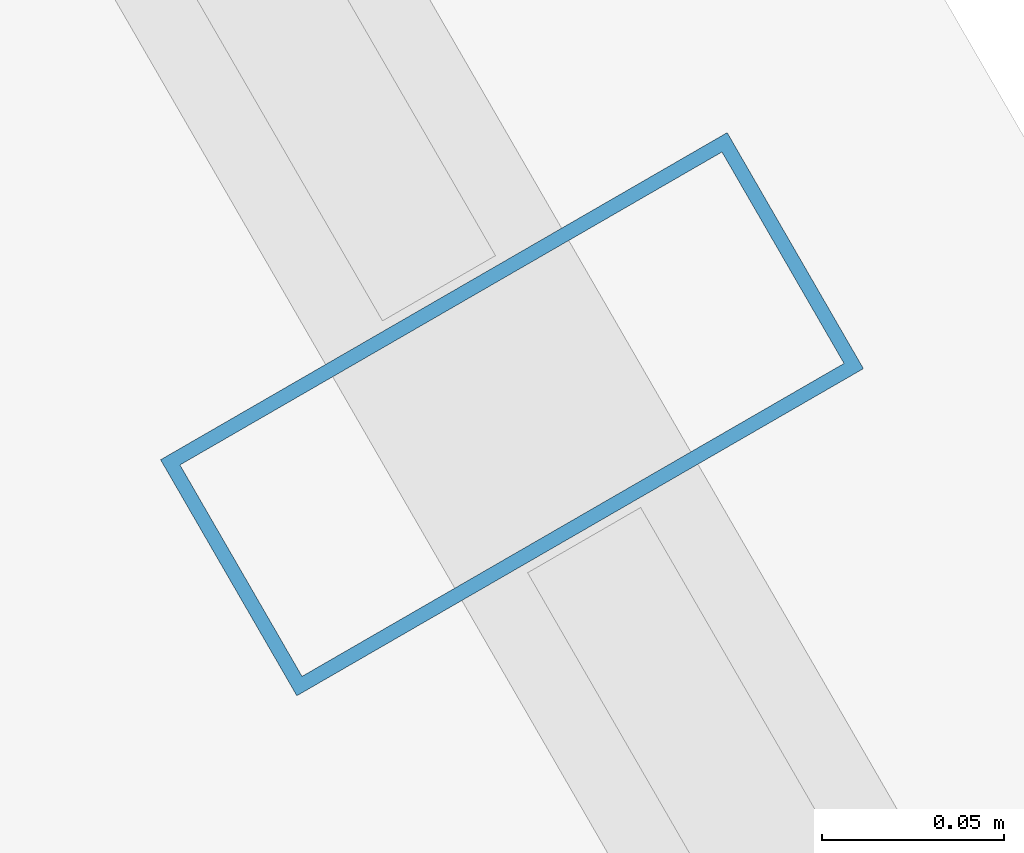
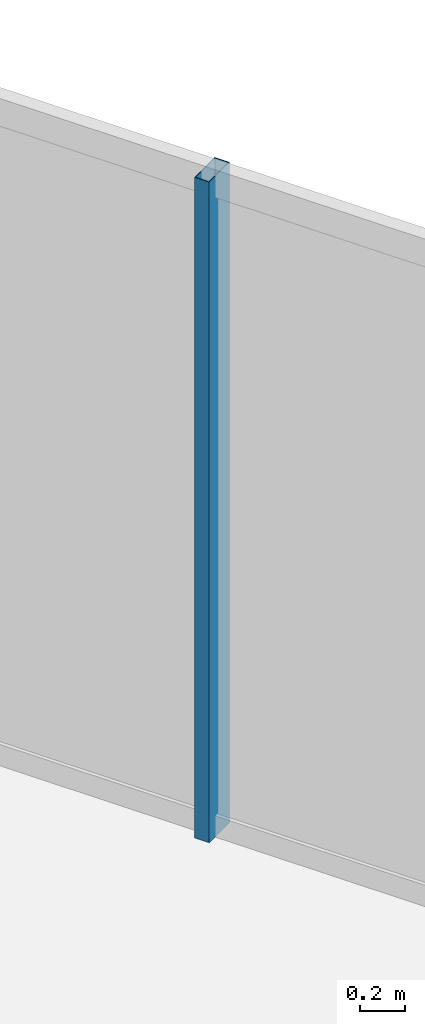
# One storey, part 25 of 33: 1 member, 1 element without a shape of its own.
"""IFC4 building model written with IfcOpenShell, lengths in metres."""

from ifc_helpers import new_model, si_unit, direction, frame, origin, origin_2d, place, context, subcontext, project, spatial, hollow_rectangle, extrude, material, layer, layer_set, material_profile, profile_set, type_object, element, aggregate, save


model = new_model("IFC4")

# Units and contexts
model_context = context("Model", 3, precision=1e-05, world=origin(), true_north=direction((0.0, 1.0)))
body_context = subcontext(model_context, "Body", "Model", "MODEL_VIEW")
ifc_project = project(units=[si_unit("LENGTHUNIT", "METRE"), si_unit("AREAUNIT", "SQUARE_METRE"), si_unit("VOLUMEUNIT", "CUBIC_METRE"), si_unit("PLANEANGLEUNIT", "RADIAN"), si_unit("MASSUNIT", "GRAM", prefix="KILO")], contexts=[model_context])

# Site, building, storey
site_placement = place(None, origin())
site = spatial("IfcSite", under=ifc_project, at=site_placement, CompositionType="ELEMENT")
building_placement = place(site_placement, origin())
building = spatial("IfcBuilding", under=site, at=building_placement, Name="Ndaravel Arena Tower", CompositionType="ELEMENT")
storey_placement = place(building_placement, frame((0.0, 0.0, 187.800048828125)))
storey = spatial("IfcBuildingStorey", under=building, at=storey_placement, Name="L45", CompositionType="ELEMENT", Elevation=187.800048828125)

# Curtain wall, member
ifc_material_1 = material(Name="Aluminium", Category="aluminium")
ifc_layer = layer(ifc_material_1, 0.179931640625)
ifc_layer_set = layer_set([ifc_layer], Name="Aluminium")
curtain_wall_type = type_object("IfcCurtainWallType", Name="CW-SYS-03", PredefinedType="NOTDEFINED", material=ifc_layer_set)
curtain_wall_placement = place(storey_placement, origin())
curtain_wall = element("IfcCurtainWall", 1, at=curtain_wall_placement, inside=storey, type_object=curtain_wall_type, Name="L45 Faceted Crystal Curtain Wall CW-L45-E03", PredefinedType="NOTDEFINED")
ifc_material_2 = material(Name="Aluminium", Category="aluminium")
ifc_material_profile = material_profile(ifc_material_2, hollow_rectangle(XDim=0.074951171875, YDim=0.179931640625, WallThickness=0.00390625, at=origin_2d()), Name="CW MULLION 75x180x4")
ifc_profile_set = profile_set([ifc_material_profile], Name="Aluminium")
member_type = type_object("IfcMemberType", Name="MEM-CW-MUL180", PredefinedType="MULLION", material=ifc_profile_set)
member_placement = place(storey_placement, frame((50.959228515625, 38.97412109375, 0.0), z_axis=(0.0, 0.0, 1.0), x_axis=(-0.5, 0.866025403784, 0.0)))
member = element("IfcMember", 2, at=member_placement, type_object=member_type, Name="CW-L45-E03 Mullion 07", PredefinedType="MULLION", context=body_context, shape_type="SweptSolid", body=[
    extrude(hollow_rectangle(XDim=0.074951171875, YDim=0.179931640625, WallThickness=0.00390625, at=origin_2d()), origin(), (0.0, 0.0, 1.0), 3.579833984375),
])
aggregate(curtain_wall, [member])

save(model, "model.ifc")
